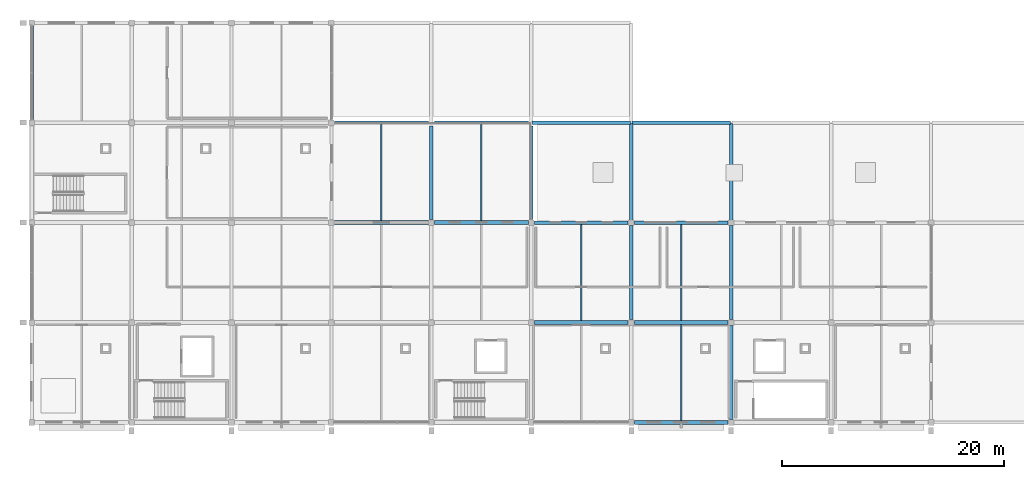
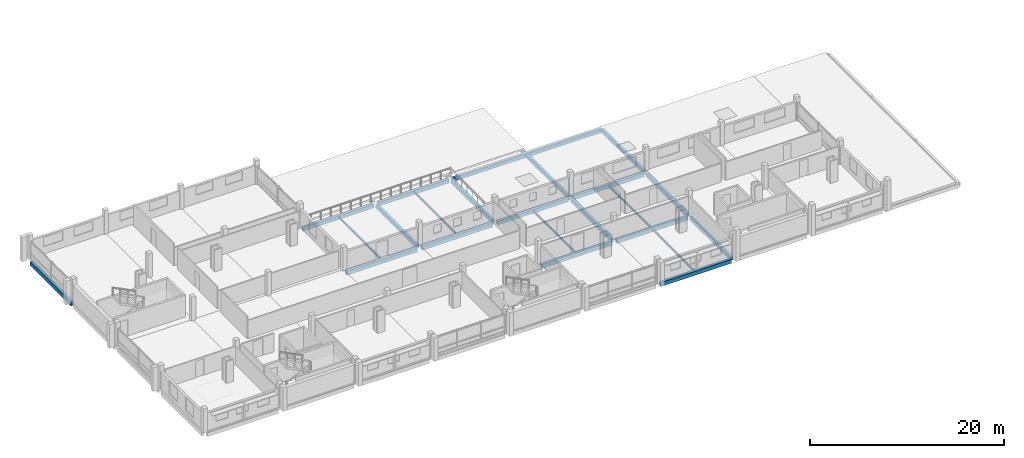
# One storey, part 6 of 25: 24 beams.
"""IFC4 building model written with IfcOpenShell, lengths in metres."""

from ifc_helpers import new_model, si_unit, direction, frame, origin, origin_2d, place, context, subcontext, project, spatial, rectangle, i_section, extrude, material, material_profile, profile_set, type_object, element, save


model = new_model("IFC4")

# Units and contexts
model_context = context("Model", 3, precision=1e-05, world=origin(), true_north=direction((0.0, 1.0)))
body_context = subcontext(model_context, "Body", "Model", "MODEL_VIEW")
ifc_project = project(units=[si_unit("LENGTHUNIT", "METRE"), si_unit("AREAUNIT", "SQUARE_METRE"), si_unit("VOLUMEUNIT", "CUBIC_METRE"), si_unit("PLANEANGLEUNIT", "RADIAN"), si_unit("MASSUNIT", "GRAM", prefix="KILO")], contexts=[model_context])

# Site, building, storey
site_placement = place(None, origin())
site = spatial("IfcSite", under=ifc_project, at=site_placement, CompositionType="ELEMENT")
building_placement = place(site_placement, origin())
building = spatial("IfcBuilding", under=site, at=building_placement, Name="Tharagai Park Tramway Depot", CompositionType="ELEMENT")
storey_placement = place(building_placement, frame((0.0, 0.0, 12.0)))
storey = spatial("IfcBuildingStorey", under=building, at=storey_placement, Name="L03", CompositionType="ELEMENT", Elevation=12.0)

# Beams
ifc_material_1 = material(Name="Concrete M35", Category="concrete")
ifc_material_profile_1 = material_profile(ifc_material_1, rectangle(XDim=0.35009765625, YDim=0.5, at=origin_2d()), Name="RC 350x500")
ifc_profile_set_1 = profile_set([ifc_material_profile_1], Name="Concrete M35")
beam_type_1 = type_object("IfcBeamType", Name="BM-11", PredefinedType="BEAM", material=ifc_profile_set_1)
for number, where, z_axis, x_axis, name in (
    (1, (45.27490234375, 9.0, -0.5), (1.0, 0.0, 0.0), (0.0, 1.0, 0.0), "L03 Grid Beam BM-11"),
    (2, (54.27490234375, 9.0, -0.5), (1.0, 0.0, 0.0), (0.0, 1.0, 0.0), "L03 Grid Beam BM-11"),
    (3, (27.27490234375, 18.0, -0.5), (1.0, 0.0, 0.0), (0.0, 1.0, 0.0), "L03 Grid Beam BM-11"),
    (4, (36.27490234375, 18.0, -0.5), (1.0, 0.0, 0.0), (0.0, 1.0, 0.0), "L03 Grid Beam BM-11"),
):
    element("IfcBeam", number, at=place(storey_placement, frame(where, z_axis=z_axis, x_axis=x_axis)), inside=storey, type_object=beam_type_1, Name=name, PredefinedType="BEAM", context=body_context, shape_type="SweptSolid", body=[
        extrude(rectangle(XDim=0.35009765625, YDim=0.5, at=origin_2d()), origin(), (0.0, 0.0, 1.0), 8.4501953125),
    ])
ifc_material_profile_2 = material_profile(ifc_material_1, rectangle(XDim=0.300048828125, YDim=0.449951171875, at=origin_2d()), Name="RC 300x450")
ifc_profile_set_2 = profile_set([ifc_material_profile_2], Name="Concrete M35")
beam_type_2 = type_object("IfcBeamType", Name="BM-14", PredefinedType="BEAM", material=ifc_profile_set_2)
for number, where, z_axis, x_axis, name in (
    (5, (36.0, 18.27490234375, -0.4150390625), (0.0, 1.0, 0.0), (-1.0, 0.0, 0.0), "L03 Grid Beam BM-14"),
    (6, (54.0, 9.27490234375, -0.47509765625), (0.0, 1.0, 0.0), (-1.0, 0.0, 0.0), "L03 Grid Beam BM-14"),
    (7, (63.0, 0.27490234375, -0.47509765625), (0.0, 1.0, 0.0), (-1.0, 0.0, 0.0), "L03 Grid Beam BM-14"),
    (8, (63.0, 9.27490234375, -0.47509765625), (0.0, 1.0, 0.0), (-1.0, 0.0, 0.0), "L03 Grid Beam BM-14"),
):
    element("IfcBeam", number, at=place(storey_placement, frame(where, z_axis=z_axis, x_axis=x_axis)), inside=storey, type_object=beam_type_2, Name=name, PredefinedType="BEAM", context=body_context, shape_type="SweptSolid", body=[
        extrude(rectangle(XDim=0.300048828125, YDim=0.449951171875, at=origin_2d()), origin(), (0.0, 0.0, 1.0), 8.4501953125),
    ])
for number, where, z_axis, x_axis, name in (
    (9, (54.0, 18.080078125, -0.465087890625), (0.0, 1.0, 0.0), (-1.0, 0.0, 0.0), "L03 Roof Support Beam BM-14"),
    (10, (63.0, 18.080078125, -0.465087890625), (0.0, 1.0, 0.0), (-1.0, 0.0, 0.0), "L03 Roof Support Beam BM-14"),
    (11, (45.080078125, 27.0, -0.465087890625), (1.0, 0.0, 0.0), (0.0, 1.0, 0.0), "L03 Roof Support Beam BM-14"),
    (12, (54.080078125, 27.0, -0.465087890625), (1.0, 0.0, 0.0), (0.0, 1.0, 0.0), "L03 Roof Support Beam BM-14"),
):
    element("IfcBeam", number, at=place(storey_placement, frame(where, z_axis=z_axis, x_axis=x_axis)), inside=storey, type_object=beam_type_2, Name=name, PredefinedType="BEAM", context=body_context, shape_type="SweptSolid", body=[
        extrude(rectangle(XDim=0.300048828125, YDim=0.449951171875, at=origin_2d()), origin(), (0.0, 0.0, 1.0), 8.83984375),
    ])
ifc_material_2 = material(Name="Steel E250", Category="steel")
ifc_material_profile_3 = material_profile(ifc_material_2, i_section(OverallWidth=0.125, OverallDepth=0.25, WebThickness=0.006103515625, FlangeThickness=0.00830078125, FilletRadius=0.010009765625, at=origin_2d()), Name="ISLB 250")
ifc_profile_set_3 = profile_set([ifc_material_profile_3], Name="Steel E250")
beam_type_3 = type_object("IfcBeamType", Name="JT-04", PredefinedType="JOIST", material=ifc_profile_set_3)
for number, where, z_axis, x_axis, name in (
    (13, (31.5, 18.175048828125, -0.31494140625), (0.0, 1.0, 0.0), (-1.0, 0.0, 0.0), "L03 Secondary Joist JT-04"),
    (14, (40.5, 18.175048828125, -0.31494140625), (0.0, 1.0, 0.0), (-1.0, 0.0, 0.0), "L03 Secondary Joist JT-04"),
    (15, (49.5, 9.175048828125, -0.375), (0.0, 1.0, 0.0), (-1.0, 0.0, 0.0), "L03 Secondary Joist JT-04"),
    (16, (58.5, 0.159912109375, -0.375), (0.0, 1.0, 0.0), (-1.0, 0.0, 0.0), "L03 Secondary Joist JT-04"),
    (17, (58.5, 9.175048828125, -0.375), (0.0, 1.0, 0.0), (-1.0, 0.0, 0.0), "L03 Secondary Joist JT-04"),
):
    element("IfcBeam", number, at=place(storey_placement, frame(where, z_axis=z_axis, x_axis=x_axis)), inside=storey, type_object=beam_type_3, Name=name, PredefinedType="JOIST", context=body_context, shape_type="SweptSolid", body=[
        extrude(i_section(OverallWidth=0.125, OverallDepth=0.25, WebThickness=0.006103515625, FlangeThickness=0.00830078125, FilletRadius=0.010009765625, at=origin_2d()), origin(), (0.0, 0.0, 1.0), 8.6650390625),
    ])
ifc_material_profile_4 = material_profile(ifc_material_1, rectangle(XDim=0.300048828125, YDim=0.5, at=origin_2d()), Name="RC 300x500")
ifc_profile_set_4 = profile_set([ifc_material_profile_4], Name="Concrete M35")
beam_type_4 = type_object("IfcBeamType", Name="SP-03", PredefinedType="SPANDREL", material=ifc_profile_set_4)
for number, where, z_axis, x_axis, name in (
    (18, (0.0, 27.27490234375, -0.5), (0.0, 1.0, 0.0), (-1.0, 0.0, 0.0), "L03 Grid Beam SP-03"),
    (19, (45.0, 18.27490234375, -0.43994140625), (0.0, 1.0, 0.0), (-1.0, 0.0, 0.0), "L03 Grid Beam SP-03"),
):
    element("IfcBeam", number, at=place(storey_placement, frame(where, z_axis=z_axis, x_axis=x_axis)), inside=storey, type_object=beam_type_4, Name=name, PredefinedType="SPANDREL", context=body_context, shape_type="SweptSolid", body=[
        extrude(rectangle(XDim=0.300048828125, YDim=0.5, at=origin_2d()), origin(), (0.0, 0.0, 1.0), 8.4501953125),
    ])
ifc_material_profile_5 = material_profile(ifc_material_1, rectangle(XDim=0.320068359375, YDim=0.47998046875, at=origin_2d()), Name="RC 320x480")
ifc_profile_set_5 = profile_set([ifc_material_profile_5], Name="Concrete M35")
beam_type_5 = type_object("IfcBeamType", Name="SP-05", PredefinedType="SPANDREL", material=ifc_profile_set_5)
for number, where, z_axis, x_axis, name in (
    (20, (54.27490234375, 0.0, -0.489990234375), (1.0, 0.0, 0.0), (0.0, 1.0, 0.0), "L03 Grid Beam SP-05"),
    (21, (45.27490234375, 18.0, -0.489990234375), (1.0, 0.0, 0.0), (0.0, 1.0, 0.0), "L03 Grid Beam SP-05"),
    (22, (54.27490234375, 18.0, -0.489990234375), (1.0, 0.0, 0.0), (0.0, 1.0, 0.0), "L03 Grid Beam SP-05"),
    (23, (27.27490234375, 27.0, -0.429931640625), (1.0, 0.0, 0.0), (0.0, 1.0, 0.0), "L03 Grid Beam SP-05"),
    (24, (36.27490234375, 27.0, -0.429931640625), (1.0, 0.0, 0.0), (0.0, 1.0, 0.0), "L03 Grid Beam SP-05"),
):
    element("IfcBeam", number, at=place(storey_placement, frame(where, z_axis=z_axis, x_axis=x_axis)), inside=storey, type_object=beam_type_5, Name=name, PredefinedType="SPANDREL", context=body_context, shape_type="SweptSolid", body=[
        extrude(rectangle(XDim=0.320068359375, YDim=0.47998046875, at=origin_2d()), origin(), (0.0, 0.0, 1.0), 8.4501953125),
    ])

save(model, "model.ifc")
